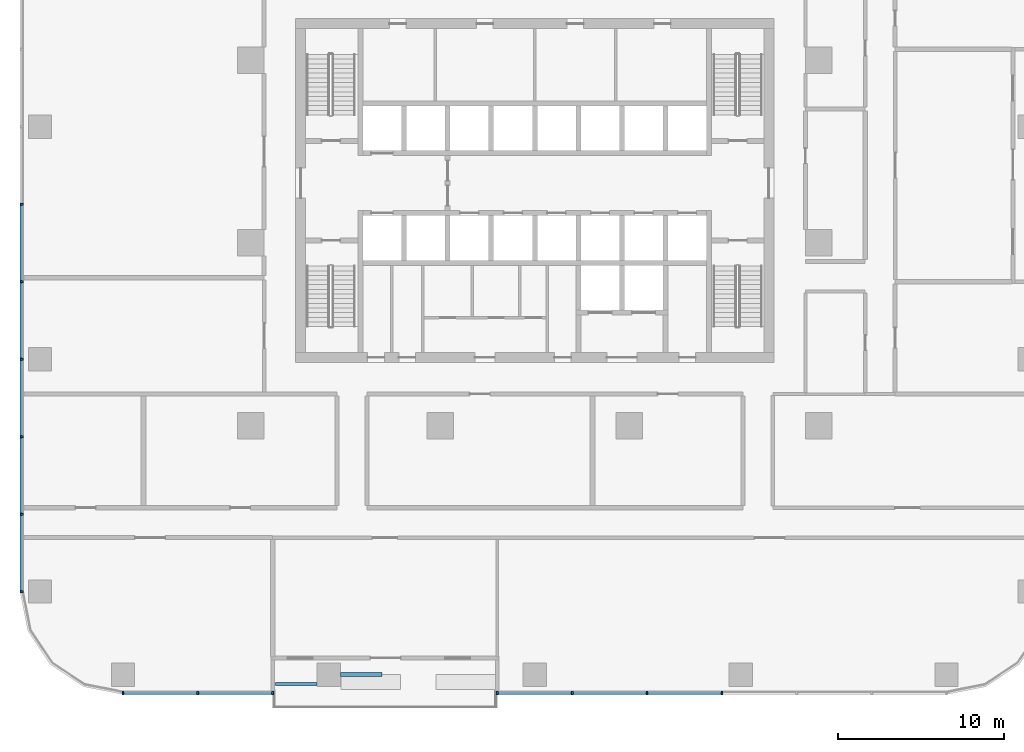
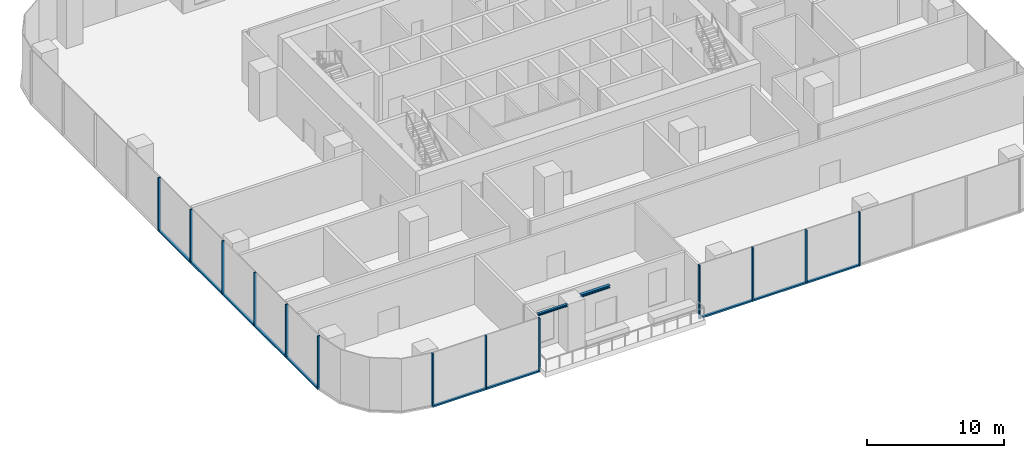
# One storey, part 2 of 15: 23 members, 2 beams, 3 elements without a shape of their own.
"""IFC4 building model written with IfcOpenShell, lengths in metres."""

from ifc_helpers import new_model, si_unit, direction, frame, origin, origin_2d, place, context, subcontext, project, spatial, rectangle, i_section, extrude, material, material_profile, profile_set, type_object, element, aggregate, save


model = new_model("IFC4")

# Units and contexts
model_context = context("Model", 3, precision=1e-05, world=origin(), true_north=direction((0.0, 1.0)))
body_context = subcontext(model_context, "Body", "Model", "MODEL_VIEW")
ifc_project = project(units=[si_unit("LENGTHUNIT", "METRE"), si_unit("AREAUNIT", "SQUARE_METRE"), si_unit("VOLUMEUNIT", "CUBIC_METRE"), si_unit("PLANEANGLEUNIT", "RADIAN"), si_unit("MASSUNIT", "GRAM", prefix="KILO")], contexts=[model_context])

# Site, building, storey
site_placement = place(None, origin())
site = spatial("IfcSite", under=ifc_project, at=site_placement, CompositionType="ELEMENT")
building_placement = place(site_placement, origin())
building = spatial("IfcBuilding", under=site, at=building_placement, Name="Mopane Tessera Tower", CompositionType="ELEMENT")
storey_placement = place(building_placement, frame((0.0, 0.0, 69.39990234375)))
storey = spatial("IfcBuildingStorey", under=building, at=storey_placement, Name="L13", CompositionType="ELEMENT", Elevation=69.39990234375)

# Curtain wall, members
ifc_material_1 = material(Name="Aluminium frame", Category="aluminium")
curtain_wall_type = type_object("IfcCurtainWallType", Name="Lower tower unitised wall", PredefinedType="NOTDEFINED", material=ifc_material_1)
curtain_wall_1_placement = place(storey_placement, origin())
curtain_wall_1 = element("IfcCurtainWall", 1, at=curtain_wall_1_placement, inside=storey, type_object=curtain_wall_type, Name="e:cw:L13:S:0", PredefinedType="NOTDEFINED")
ifc_material_2 = material(Name="Aluminium frame", Category="aluminium")
ifc_material_profile_1 = material_profile(ifc_material_2, rectangle(XDim=0.110107421875, YDim=0.199951171875, at=origin_2d()))
ifc_profile_set_1 = profile_set([ifc_material_profile_1], Name="Aluminium frame")
member_type_1 = type_object("IfcMemberType", Name="Aluminium mullion 110 x 200", PredefinedType="MULLION", material=ifc_profile_set_1)
member_1_placement = place(storey_placement, frame((-24.800048828125, -27.10009765625, -0.449951171875), z_axis=(0.0, 0.0, 1.0), x_axis=(1.0, 0.0, 0.0)))
member_1 = element("IfcMember", 2, at=member_1_placement, type_object=member_type_1, Name="e:cw:L13:S:0:mu0", PredefinedType="MULLION", context=body_context, shape_type="SweptSolid", body=[
    extrude(rectangle(XDim=0.110107421875, YDim=0.199951171875, at=origin_2d()), origin(), (0.0, 0.0, 1.0), 4.800048828125),
])
member_2_placement = place(storey_placement, frame((-20.291015625, -27.10009765625, -0.449951171875), z_axis=(0.0, 0.0, 1.0), x_axis=(1.0, 0.0, 0.0)))
member_2 = element("IfcMember", 3, at=member_2_placement, type_object=member_type_1, Name="e:cw:L13:S:0:mu1", PredefinedType="MULLION", context=body_context, shape_type="SweptSolid", body=[
    extrude(rectangle(XDim=0.110107421875, YDim=0.199951171875, at=origin_2d()), origin(), (0.0, 0.0, 1.0), 4.800048828125),
])
member_3_placement = place(storey_placement, frame((-15.78173828125, -27.10009765625, -0.449951171875), z_axis=(0.0, 0.0, 1.0), x_axis=(1.0, 0.0, 0.0)))
member_3 = element("IfcMember", 4, at=member_3_placement, type_object=member_type_1, Name="e:cw:L13:S:0:mu2", PredefinedType="MULLION", context=body_context, shape_type="SweptSolid", body=[
    extrude(rectangle(XDim=0.110107421875, YDim=0.199951171875, at=origin_2d()), origin(), (0.0, 0.0, 1.0), 4.800048828125),
])

curtain_wall_2_placement = place(storey_placement, origin())
curtain_wall_2 = element("IfcCurtainWall", 5, at=curtain_wall_2_placement, inside=storey, type_object=curtain_wall_type, Name="e:cw:L13:S:5", PredefinedType="NOTDEFINED")
member_4_placement = place(storey_placement, frame((-2.254638671875, -27.10009765625, -0.449951171875), z_axis=(0.0, 0.0, 1.0), x_axis=(1.0, 0.0, 0.0)))
member_4 = element("IfcMember", 6, at=member_4_placement, type_object=member_type_1, Name="e:cw:L13:S:5:mu5", PredefinedType="MULLION", context=body_context, shape_type="SweptSolid", body=[
    extrude(rectangle(XDim=0.110107421875, YDim=0.199951171875, at=origin_2d()), origin(), (0.0, 0.0, 1.0), 4.800048828125),
])
member_5_placement = place(storey_placement, frame((2.254638671875, -27.10009765625, -0.449951171875), z_axis=(0.0, 0.0, 1.0), x_axis=(1.0, 0.0, 0.0)))
member_5 = element("IfcMember", 7, at=member_5_placement, type_object=member_type_1, Name="e:cw:L13:S:5:mu6", PredefinedType="MULLION", context=body_context, shape_type="SweptSolid", body=[
    extrude(rectangle(XDim=0.110107421875, YDim=0.199951171875, at=origin_2d()), origin(), (0.0, 0.0, 1.0), 4.800048828125),
])
member_6_placement = place(storey_placement, frame((6.763671875, -27.10009765625, -0.449951171875), z_axis=(0.0, 0.0, 1.0), x_axis=(1.0, 0.0, 0.0)))
member_6 = element("IfcMember", 8, at=member_6_placement, type_object=member_type_1, Name="e:cw:L13:S:5:mu7", PredefinedType="MULLION", context=body_context, shape_type="SweptSolid", body=[
    extrude(rectangle(XDim=0.110107421875, YDim=0.199951171875, at=origin_2d()), origin(), (0.0, 0.0, 1.0), 4.800048828125),
])
member_7_placement = place(storey_placement, frame((11.272705078125, -27.10009765625, -0.449951171875), z_axis=(0.0, 0.0, 1.0), x_axis=(1.0, 0.0, 0.0)))
member_7 = element("IfcMember", 9, at=member_7_placement, type_object=member_type_1, Name="e:cw:L13:S:5:mu8", PredefinedType="MULLION", context=body_context, shape_type="SweptSolid", body=[
    extrude(rectangle(XDim=0.110107421875, YDim=0.199951171875, at=origin_2d()), origin(), (0.0, 0.0, 1.0), 4.800048828125),
])

curtain_wall_3_placement = place(storey_placement, origin())
curtain_wall_3 = element("IfcCurtainWall", 10, at=curtain_wall_3_placement, inside=storey, type_object=curtain_wall_type, Name="e:cw:L13:W:0", PredefinedType="NOTDEFINED")
member_8_placement = place(storey_placement, frame((-30.89990234375, 2.333251953125, -0.449951171875), z_axis=(0.0, 0.0, 1.0), x_axis=(0.0, -1.0, 0.0)))
member_8 = element("IfcMember", 11, at=member_8_placement, type_object=member_type_1, Name="e:cw:L13:W:0:mu4", PredefinedType="MULLION", context=body_context, shape_type="SweptSolid", body=[
    extrude(rectangle(XDim=0.110107421875, YDim=0.199951171875, at=origin_2d()), origin(), (0.0, 0.0, 1.0), 4.800048828125),
])
member_9_placement = place(storey_placement, frame((-30.89990234375, -2.333251953125, -0.449951171875), z_axis=(0.0, 0.0, 1.0), x_axis=(0.0, -1.0, 0.0)))
member_9 = element("IfcMember", 12, at=member_9_placement, type_object=member_type_1, Name="e:cw:L13:W:0:mu5", PredefinedType="MULLION", context=body_context, shape_type="SweptSolid", body=[
    extrude(rectangle(XDim=0.110107421875, YDim=0.199951171875, at=origin_2d()), origin(), (0.0, 0.0, 1.0), 4.800048828125),
])
member_10_placement = place(storey_placement, frame((-30.89990234375, -7.0, -0.449951171875), z_axis=(0.0, 0.0, 1.0), x_axis=(0.0, -1.0, 0.0)))
member_10 = element("IfcMember", 13, at=member_10_placement, type_object=member_type_1, Name="e:cw:L13:W:0:mu6", PredefinedType="MULLION", context=body_context, shape_type="SweptSolid", body=[
    extrude(rectangle(XDim=0.110107421875, YDim=0.199951171875, at=origin_2d()), origin(), (0.0, 0.0, 1.0), 4.800048828125),
])
member_11_placement = place(storey_placement, frame((-30.89990234375, -11.666748046875, -0.449951171875), z_axis=(0.0, 0.0, 1.0), x_axis=(0.0, -1.0, 0.0)))
member_11 = element("IfcMember", 14, at=member_11_placement, type_object=member_type_1, Name="e:cw:L13:W:0:mu7", PredefinedType="MULLION", context=body_context, shape_type="SweptSolid", body=[
    extrude(rectangle(XDim=0.110107421875, YDim=0.199951171875, at=origin_2d()), origin(), (0.0, 0.0, 1.0), 4.800048828125),
])
member_12_placement = place(storey_placement, frame((-30.89990234375, -16.333251953125, -0.449951171875), z_axis=(0.0, 0.0, 1.0), x_axis=(0.0, -1.0, 0.0)))
member_12 = element("IfcMember", 15, at=member_12_placement, type_object=member_type_1, Name="e:cw:L13:W:0:mu8", PredefinedType="MULLION", context=body_context, shape_type="SweptSolid", body=[
    extrude(rectangle(XDim=0.110107421875, YDim=0.199951171875, at=origin_2d()), origin(), (0.0, 0.0, 1.0), 4.800048828125),
])
member_13_placement = place(storey_placement, frame((-30.89990234375, -21.0, -0.449951171875), z_axis=(0.0, 0.0, 1.0), x_axis=(0.0, -1.0, 0.0)))
member_13 = element("IfcMember", 16, at=member_13_placement, type_object=member_type_1, Name="e:cw:L13:W:0:mu9", PredefinedType="MULLION", context=body_context, shape_type="SweptSolid", body=[
    extrude(rectangle(XDim=0.110107421875, YDim=0.199951171875, at=origin_2d()), origin(), (0.0, 0.0, 1.0), 4.800048828125),
])

# Member
ifc_material_3 = material(Name="Aluminium frame", Category="aluminium")
ifc_material_profile_2 = material_profile(ifc_material_3, rectangle(XDim=0.199951171875, YDim=0.139892578125, at=origin_2d()))
ifc_profile_set_2 = profile_set([ifc_material_profile_2], Name="Aluminium frame")
member_type_2 = type_object("IfcMemberType", Name="Aluminium transom 200 x 140", PredefinedType="USERDEFINED", material=ifc_profile_set_2)
member_14_placement = place(storey_placement, frame((-24.7451171875, -27.10009765625, -0.3798828125), z_axis=(1.0, 0.0, 0.0), x_axis=(0.0, 1.0, 0.0)))
member_14 = element("IfcMember", 17, at=member_14_placement, type_object=member_type_2, Name="e:cw:L13:S:0:tr0", ObjectType="TRANSOM", PredefinedType="USERDEFINED", context=body_context, shape_type="SweptSolid", body=[
    extrude(rectangle(XDim=0.199951171875, YDim=0.139892578125, at=origin_2d()), origin(), (0.0, 0.0, 1.0), 4.399169921875),
])

member_15_placement = place(storey_placement, frame((-20.23583984375, -27.10009765625, -0.3798828125), z_axis=(1.0, 0.0, 0.0), x_axis=(0.0, 1.0, 0.0)))
member_15 = element("IfcMember", 18, at=member_15_placement, type_object=member_type_2, Name="e:cw:L13:S:0:tr1", ObjectType="TRANSOM", PredefinedType="USERDEFINED", context=body_context, shape_type="SweptSolid", body=[
    extrude(rectangle(XDim=0.199951171875, YDim=0.139892578125, at=origin_2d()), origin(), (0.0, 0.0, 1.0), 4.39892578125),
])

aggregate(curtain_wall_1, [member_1, member_2, member_3, member_14, member_15])

member_16_placement = place(storey_placement, frame((-2.199462890625, -27.10009765625, -0.3798828125), z_axis=(1.0, 0.0, 0.0), x_axis=(0.0, 1.0, 0.0)))
member_16 = element("IfcMember", 19, at=member_16_placement, type_object=member_type_2, Name="e:cw:L13:S:5:tr5", ObjectType="TRANSOM", PredefinedType="USERDEFINED", context=body_context, shape_type="SweptSolid", body=[
    extrude(rectangle(XDim=0.199951171875, YDim=0.139892578125, at=origin_2d()), origin(), (0.0, 0.0, 1.0), 4.39892578125),
])

member_17_placement = place(storey_placement, frame((2.3095703125, -27.10009765625, -0.3798828125), z_axis=(1.0, 0.0, 0.0), x_axis=(0.0, 1.0, 0.0)))
member_17 = element("IfcMember", 20, at=member_17_placement, type_object=member_type_2, Name="e:cw:L13:S:5:tr6", ObjectType="TRANSOM", PredefinedType="USERDEFINED", context=body_context, shape_type="SweptSolid", body=[
    extrude(rectangle(XDim=0.199951171875, YDim=0.139892578125, at=origin_2d()), origin(), (0.0, 0.0, 1.0), 4.399169921875),
])

member_18_placement = place(storey_placement, frame((6.818603515625, -27.10009765625, -0.3798828125), z_axis=(1.0, 0.0, 0.0), x_axis=(0.0, 1.0, 0.0)))
member_18 = element("IfcMember", 21, at=member_18_placement, type_object=member_type_2, Name="e:cw:L13:S:5:tr7", ObjectType="TRANSOM", PredefinedType="USERDEFINED", context=body_context, shape_type="SweptSolid", body=[
    extrude(rectangle(XDim=0.199951171875, YDim=0.139892578125, at=origin_2d()), origin(), (0.0, 0.0, 1.0), 4.399169921875),
])

aggregate(curtain_wall_2, [member_4, member_5, member_6, member_7, member_16, member_17, member_18])

member_19_placement = place(storey_placement, frame((-30.89990234375, 2.2783203125, -0.3798828125), z_axis=(0.0, -1.0, 0.0), x_axis=(1.0, 0.0, 0.0)))
member_19 = element("IfcMember", 22, at=member_19_placement, type_object=member_type_2, Name="e:cw:L13:W:0:tr4", ObjectType="TRANSOM", PredefinedType="USERDEFINED", context=body_context, shape_type="SweptSolid", body=[
    extrude(rectangle(XDim=0.199951171875, YDim=0.139892578125, at=origin_2d()), origin(), (0.0, 0.0, 1.0), 4.556640625),
])

member_20_placement = place(storey_placement, frame((-30.89990234375, -2.388427734375, -0.3798828125), z_axis=(0.0, -1.0, 0.0), x_axis=(1.0, 0.0, 0.0)))
member_20 = element("IfcMember", 23, at=member_20_placement, type_object=member_type_2, Name="e:cw:L13:W:0:tr5", ObjectType="TRANSOM", PredefinedType="USERDEFINED", context=body_context, shape_type="SweptSolid", body=[
    extrude(rectangle(XDim=0.199951171875, YDim=0.139892578125, at=origin_2d()), origin(), (0.0, 0.0, 1.0), 4.556640625),
])

member_21_placement = place(storey_placement, frame((-30.89990234375, -7.054931640625, -0.3798828125), z_axis=(0.0, -1.0, 0.0), x_axis=(1.0, 0.0, 0.0)))
member_21 = element("IfcMember", 24, at=member_21_placement, type_object=member_type_2, Name="e:cw:L13:W:0:tr6", ObjectType="TRANSOM", PredefinedType="USERDEFINED", context=body_context, shape_type="SweptSolid", body=[
    extrude(rectangle(XDim=0.199951171875, YDim=0.139892578125, at=origin_2d()), origin(), (0.0, 0.0, 1.0), 4.556640625),
])

member_22_placement = place(storey_placement, frame((-30.89990234375, -11.7216796875, -0.3798828125), z_axis=(0.0, -1.0, 0.0), x_axis=(1.0, 0.0, 0.0)))
member_22 = element("IfcMember", 25, at=member_22_placement, type_object=member_type_2, Name="e:cw:L13:W:0:tr7", ObjectType="TRANSOM", PredefinedType="USERDEFINED", context=body_context, shape_type="SweptSolid", body=[
    extrude(rectangle(XDim=0.199951171875, YDim=0.139892578125, at=origin_2d()), origin(), (0.0, 0.0, 1.0), 4.556640625),
])

member_23_placement = place(storey_placement, frame((-30.89990234375, -16.388427734375, -0.3798828125), z_axis=(0.0, -1.0, 0.0), x_axis=(1.0, 0.0, 0.0)))
member_23 = element("IfcMember", 26, at=member_23_placement, type_object=member_type_2, Name="e:cw:L13:W:0:tr8", ObjectType="TRANSOM", PredefinedType="USERDEFINED", context=body_context, shape_type="SweptSolid", body=[
    extrude(rectangle(XDim=0.199951171875, YDim=0.139892578125, at=origin_2d()), origin(), (0.0, 0.0, 1.0), 4.556640625),
])

aggregate(curtain_wall_3, [member_8, member_9, member_10, member_11, member_12, member_13, member_19, member_20, member_21, member_22, member_23])

# Beams
ifc_material_4 = material(Name="Structural steel S460", Category="steel")
ifc_material_profile_3 = material_profile(ifc_material_4, i_section(OverallWidth=0.239990234375, OverallDepth=0.239990234375, WebThickness=0.010009765625, FlangeThickness=0.01708984375, FilletRadius=0.02099609375, at=origin_2d()))
ifc_profile_set_3 = profile_set([ifc_material_profile_3], Name="Structural steel S460")
beam_type_1 = type_object("IfcBeamType", Name="Terrace spandrel beam HE 240 B", PredefinedType="SPANDREL", material=ifc_profile_set_3)
beam_1_placement = place(storey_placement, frame((-11.697021484375, -26.0, 4.22998046875), z_axis=(1.0, 0.0, 0.0), x_axis=(0.0, 1.0, 0.0)))
element("IfcBeam", 27, at=beam_1_placement, inside=storey, type_object=beam_type_1, Name="Terrace spandrel beam N3 L14", PredefinedType="SPANDREL", context=body_context, shape_type="SweptSolid", body=[
    extrude(i_section(OverallWidth=0.239990234375, OverallDepth=0.239990234375, WebThickness=0.010009765625, FlangeThickness=0.01708984375, FilletRadius=0.02099609375, at=origin_2d()), origin(), (0.0, 0.0, 1.0), 2.5),
])
ifc_material_5 = material(Name="Structural steel S460", Category="steel")
ifc_material_profile_4 = material_profile(ifc_material_5, i_section(OverallWidth=0.199951171875, OverallDepth=0.199951171875, WebThickness=0.009033203125, FlangeThickness=0.014892578125, FilletRadius=0.01806640625, at=origin_2d()))
ifc_profile_set_4 = profile_set([ifc_material_profile_4], Name="Structural steel S460")
beam_type_2 = type_object("IfcBeamType", Name="Terrace trimmer beam HE 200 B", PredefinedType="BEAM", material=ifc_profile_set_4)
beam_2_placement = place(storey_placement, frame((-13.102783203125, -26.56005859375, 4.25), z_axis=(-1.0, 0.0, 0.0), x_axis=(0.0, -1.0, 0.0)))
element("IfcBeam", 28, at=beam_2_placement, inside=storey, type_object=beam_type_2, Name="Terrace trimmer beam N3 L14", PredefinedType="BEAM", context=body_context, shape_type="SweptSolid", body=[
    extrude(i_section(OverallWidth=0.199951171875, OverallDepth=0.199951171875, WebThickness=0.009033203125, FlangeThickness=0.014892578125, FilletRadius=0.01806640625, at=origin_2d()), origin(), (0.0, 0.0, 1.0), 2.5),
])

save(model, "model.ifc")
